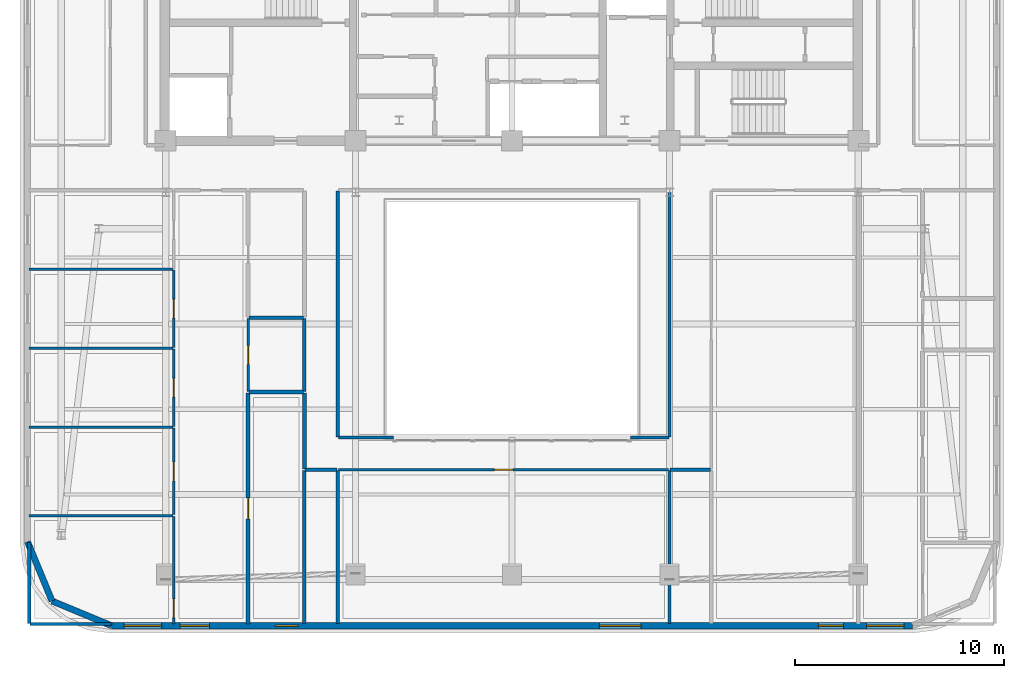
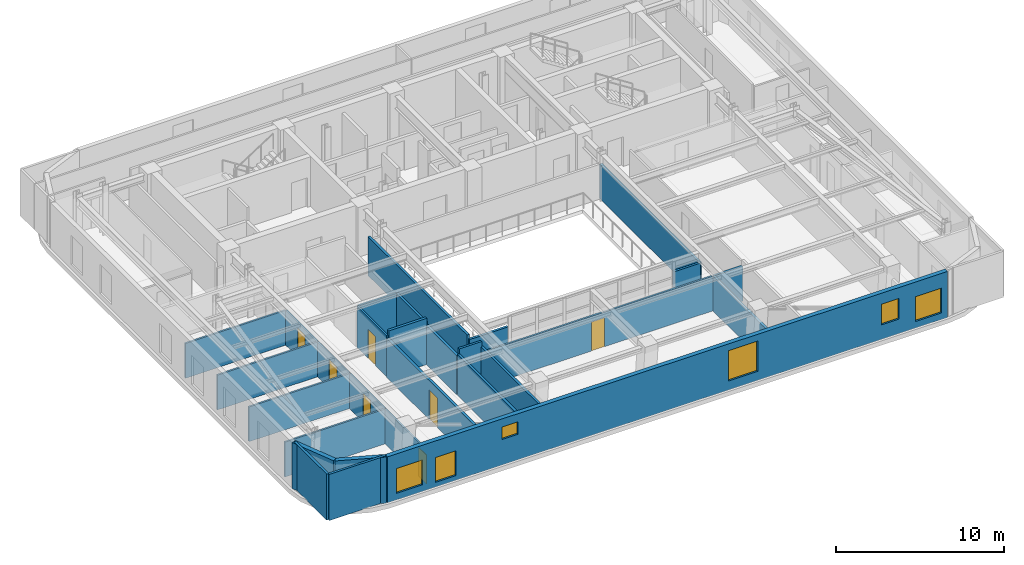
# One storey, part 6 of 14: 29 walls, 7 doors, 6 windows, 13 openings.
"""IFC4 building model written with IfcOpenShell, lengths in metres."""

from ifc_helpers import new_model, si_unit, direction, frame, frame_2d, origin, place, context, subcontext, project, spatial, rectangle, extrude, material, layer, layer_set, type_object, element, fill, save


model = new_model("IFC4")

# Units and contexts
model_context = context("Model", 3, precision=1e-05, world=origin(), true_north=direction((0.0, 1.0)))
body_context = subcontext(model_context, "Body", "Model", "MODEL_VIEW")
ifc_project = project(units=[si_unit("LENGTHUNIT", "METRE"), si_unit("AREAUNIT", "SQUARE_METRE"), si_unit("VOLUMEUNIT", "CUBIC_METRE"), si_unit("PLANEANGLEUNIT", "RADIAN"), si_unit("MASSUNIT", "GRAM", prefix="KILO")], contexts=[model_context])

# Site, building, storey
site_placement = place(None, origin())
site = spatial("IfcSite", under=ifc_project, at=site_placement, CompositionType="ELEMENT")
building_placement = place(site_placement, origin())
building = spatial("IfcBuilding", under=site, at=building_placement, Name="Zarnavel Station Tower", CompositionType="ELEMENT")
storey_placement = place(building_placement, frame((0.0, 0.0, 211.199951171875)))
storey = spatial("IfcBuildingStorey", under=building, at=storey_placement, Name="L57", CompositionType="ELEMENT", Elevation=211.199951171875)

# Walls
ifc_material_1 = material(Name="Precast concrete C45/55 (Dark Basalt Finish)", Category="masonry")
ifc_layer_1 = layer(ifc_material_1, 0.300048828125)
ifc_layer_set_1 = layer_set([ifc_layer_1], Name="EW_BASALT_300")
wall_type_1 = type_object("IfcWallType", Name="EW_BASALT_300", PredefinedType="SOLIDWALL", material=ifc_layer_set_1)
for number, where, z_axis, x_axis, name in (
    (1, (6.75732421875, 5.75732421875, 0.0), (0.0, 0.0, 1.0), (-0.382608747773, 0.923910464346, 0.0), "L57 Exterior Basalt Masonry Frame Wall 10"),
    (2, (9.60009765625, 4.580078125, 0.0), (0.0, 0.0, 1.0), (-0.923910464346, 0.382608747773, 0.0), "L57 Exterior Basalt Masonry Frame Wall 11"),
):
    element("IfcWall", number, at=place(storey_placement, frame(where, z_axis=z_axis, x_axis=x_axis)), inside=storey, type_object=wall_type_1, Name=name, PredefinedType="SOLIDWALL", context=body_context, shape_type="SweptSolid", body=[
        extrude(rectangle(XDim=3.076904296875, YDim=0.300048828125, at=frame_2d((1.53857421875, 0.0))), origin(), (0.0, 0.0, 1.0), 3.340087890625),
    ])

# Wall, openings, windows
wall_1_placement = place(storey_placement, frame((48.0, 4.580078125, 0.0), z_axis=(0.0, 0.0, 1.0), x_axis=(-1.0, 0.0, 0.0)))
wall_1 = element("IfcWall", 3, at=wall_1_placement, inside=storey, type_object=wall_type_1, Name="L57 Exterior Basalt Masonry Frame Wall 12", PredefinedType="SOLIDWALL", context=body_context, shape_type="SweptSolid", body=[
    extrude(rectangle(XDim=38.39990234375, YDim=0.300048828125, at=frame_2d((19.199951171875, 0.0))), origin(), (0.0, 0.0, 1.0), 3.340087890625),
])
opening_1_placement = place(wall_1_placement, frame((33.708984375, 0.0, 0.340087890625)))
opening_1 = element("IfcOpeningElement", 4, at=opening_1_placement, cuts=wall_1, Name="Opening WN01", PredefinedType="OPENING", context=body_context, shape_type="SweptSolid", body=[
    extrude(rectangle(XDim=1.39990234375, YDim=1.800048828125, at=frame_2d((0.699951171875, 0.89990234375))), frame((0.0, 0.159912109375, 0.0), z_axis=(0.0, -1.0, 0.0), x_axis=(1.0, 0.0, 0.0)), (0.0, 0.0, 1.0), 0.320068359375),
])
opening_2_placement = place(wall_1_placement, frame((29.449951171875, 0.0, 1.85009765625)))
opening_2 = element("IfcOpeningElement", 5, at=opening_2_placement, cuts=wall_1, Name="Opening WN10", PredefinedType="OPENING", context=body_context, shape_type="SweptSolid", body=[
    extrude(rectangle(XDim=1.10009765625, YDim=0.89990234375, at=frame_2d((0.550048828125, 0.449951171875))), frame((0.0, 0.159912109375, 0.0), z_axis=(0.0, -1.0, 0.0), x_axis=(1.0, 0.0, 0.0)), (0.0, 0.0, 1.0), 0.320068359375),
])
opening_3_placement = place(wall_1_placement, frame((35.994384765625, 0.0, 0.47998046875)))
opening_3 = element("IfcOpeningElement", 6, at=opening_3_placement, cuts=wall_1, Name="Opening WN02", PredefinedType="OPENING", context=body_context, shape_type="SweptSolid", body=[
    extrude(rectangle(XDim=1.800048828125, YDim=1.800048828125, at=frame_2d((0.89990234375, 0.89990234375))), frame((0.0, 0.159912109375, 0.0), z_axis=(0.0, -1.0, 0.0), x_axis=(1.0, 0.0, 0.0)), (0.0, 0.0, 1.0), 0.320068359375),
])
opening_4_placement = place(wall_1_placement, frame((13.013916015625, 0.0, 0.64990234375)))
opening_4 = element("IfcOpeningElement", 7, at=opening_4_placement, cuts=wall_1, Name="Opening WN07", PredefinedType="OPENING", context=body_context, shape_type="SweptSolid", body=[
    extrude(rectangle(XDim=2.0, YDim=2.199951171875, at=frame_2d((1.0, 1.10009765625))), frame((0.0, 0.159912109375, 0.0), z_axis=(0.0, -1.0, 0.0), x_axis=(1.0, 0.0, 0.0)), (0.0, 0.0, 1.0), 0.320068359375),
])
opening_5_placement = place(wall_1_placement, frame((3.320068359375, 0.0, 1.050048828125)))
opening_5 = element("IfcOpeningElement", 8, at=opening_5_placement, cuts=wall_1, Name="Opening WN08", PredefinedType="OPENING", context=body_context, shape_type="SweptSolid", body=[
    extrude(rectangle(XDim=1.199951171875, YDim=1.5, at=frame_2d((0.60009765625, 0.75))), frame((0.0, 0.159912109375, 0.0), z_axis=(0.0, -1.0, 0.0), x_axis=(1.0, 0.0, 0.0)), (0.0, 0.0, 1.0), 0.320068359375),
])
opening_6_placement = place(wall_1_placement, frame((0.409912109375, 0.0, 0.47998046875)))
opening_6 = element("IfcOpeningElement", 9, at=opening_6_placement, cuts=wall_1, Name="Opening WN02", PredefinedType="OPENING", context=body_context, shape_type="SweptSolid", body=[
    extrude(rectangle(XDim=1.800048828125, YDim=1.800048828125, at=frame_2d((0.89990234375, 0.89990234375))), frame((0.0, 0.159912109375, 0.0), z_axis=(0.0, -1.0, 0.0), x_axis=(1.0, 0.0, 0.0)), (0.0, 0.0, 1.0), 0.320068359375),
])
ifc_material_2 = material(Name="Thermally Broken Black Aluminium and Low-E Dark Glass", Category="aluminium")
window_type_1 = type_object("IfcWindowType", Name="WN_1100x0900", PartitioningType="SINGLE_PANEL", PredefinedType="WINDOW", material=ifc_material_2)
window_1_placement = place(opening_2_placement, origin())
window_1 = element("IfcWindow", 10, at=window_1_placement, inside=storey, type_object=window_type_1, Name="L57 Recessed Facade Window 02", OverallHeight=0.89990234375, OverallWidth=1.10009765625, PartitioningType="SINGLE_PANEL", PredefinedType="WINDOW", context=body_context, shape_type="SweptSolid", body=[
    extrude(rectangle(XDim=1.10009765625, YDim=0.89990234375, at=frame_2d((0.550048828125, 0.449951171875))), frame((0.0, 0.030029296875, 0.0), z_axis=(0.0, -1.0, 0.0), x_axis=(1.0, 0.0, 0.0)), (0.0, 0.0, 1.0), 0.06005859375),
])
fill(opening_2, window_1)
ifc_material_3 = material(Name="Thermally Broken Black Aluminium and Low-E Dark Glass", Category="aluminium")
window_type_2 = type_object("IfcWindowType", Name="WN_1200x1500", PartitioningType="SINGLE_PANEL", PredefinedType="WINDOW", material=ifc_material_3)
window_2_placement = place(opening_5_placement, origin())
window_2 = element("IfcWindow", 11, at=window_2_placement, inside=storey, type_object=window_type_2, Name="L57 Recessed Facade Window 05", OverallHeight=1.5, OverallWidth=1.199951171875, PartitioningType="SINGLE_PANEL", PredefinedType="WINDOW", context=body_context, shape_type="SweptSolid", body=[
    extrude(rectangle(XDim=1.199951171875, YDim=1.5, at=frame_2d((0.60009765625, 0.75))), frame((0.0, 0.030029296875, 0.0), z_axis=(0.0, -1.0, 0.0), x_axis=(1.0, 0.0, 0.0)), (0.0, 0.0, 1.0), 0.06005859375),
])
fill(opening_5, window_2)
ifc_material_4 = material(Name="Thermally Broken Black Aluminium and Low-E Dark Glass", Category="aluminium")
window_type_3 = type_object("IfcWindowType", Name="WN_1400x1800", PartitioningType="DOUBLE_PANEL_VERTICAL", PredefinedType="WINDOW", material=ifc_material_4)
window_3_placement = place(opening_1_placement, origin())
window_3 = element("IfcWindow", 12, at=window_3_placement, inside=storey, type_object=window_type_3, Name="L57 Recessed Facade Window 01", OverallHeight=1.800048828125, OverallWidth=1.39990234375, PartitioningType="SINGLE_PANEL", PredefinedType="WINDOW", context=body_context, shape_type="SweptSolid", body=[
    extrude(rectangle(XDim=1.39990234375, YDim=1.800048828125, at=frame_2d((0.699951171875, 0.89990234375))), frame((0.0, 0.030029296875, 0.0), z_axis=(0.0, -1.0, 0.0), x_axis=(1.0, 0.0, 0.0)), (0.0, 0.0, 1.0), 0.06005859375),
])
fill(opening_1, window_3)
ifc_material_5 = material(Name="Thermally Broken Black Aluminium and Low-E Dark Glass", Category="aluminium")
window_type_4 = type_object("IfcWindowType", Name="WN_1800x1800", PartitioningType="DOUBLE_PANEL_VERTICAL", PredefinedType="WINDOW", material=ifc_material_5)
window_4_placement = place(opening_3_placement, origin())
window_4 = element("IfcWindow", 13, at=window_4_placement, inside=storey, type_object=window_type_4, Name="L57 Recessed Facade Window 03", OverallHeight=1.800048828125, OverallWidth=1.800048828125, PartitioningType="SINGLE_PANEL", PredefinedType="WINDOW", context=body_context, shape_type="SweptSolid", body=[
    extrude(rectangle(XDim=1.800048828125, YDim=1.800048828125, at=frame_2d((0.89990234375, 0.89990234375))), frame((0.0, 0.030029296875, 0.0), z_axis=(0.0, -1.0, 0.0), x_axis=(1.0, 0.0, 0.0)), (0.0, 0.0, 1.0), 0.06005859375),
])
fill(opening_3, window_4)
window_5_placement = place(opening_6_placement, origin())
window_5 = element("IfcWindow", 14, at=window_5_placement, inside=storey, type_object=window_type_4, Name="L57 Recessed Facade Window 06", OverallHeight=1.800048828125, OverallWidth=1.800048828125, PartitioningType="SINGLE_PANEL", PredefinedType="WINDOW", context=body_context, shape_type="SweptSolid", body=[
    extrude(rectangle(XDim=1.800048828125, YDim=1.800048828125, at=frame_2d((0.89990234375, 0.89990234375))), frame((0.0, 0.030029296875, 0.0), z_axis=(0.0, -1.0, 0.0), x_axis=(1.0, 0.0, 0.0)), (0.0, 0.0, 1.0), 0.06005859375),
])
fill(opening_6, window_5)
ifc_material_6 = material(Name="Thermally Broken Black Aluminium and Low-E Dark Glass", Category="aluminium")
window_type_5 = type_object("IfcWindowType", Name="WN_2000x2200", PartitioningType="TRIPLE_PANEL_VERTICAL", PredefinedType="WINDOW", material=ifc_material_6)
window_6_placement = place(opening_4_placement, origin())
window_6 = element("IfcWindow", 15, at=window_6_placement, inside=storey, type_object=window_type_5, Name="L57 Recessed Facade Window 04", OverallHeight=2.199951171875, OverallWidth=2.0, PartitioningType="SINGLE_PANEL", PredefinedType="WINDOW", context=body_context, shape_type="SweptSolid", body=[
    extrude(rectangle(XDim=2.0, YDim=2.199951171875, at=frame_2d((1.0, 1.10009765625))), frame((0.0, 0.030029296875, 0.0), z_axis=(0.0, -1.0, 0.0), x_axis=(1.0, 0.0, 0.0)), (0.0, 0.0, 1.0), 0.06005859375),
])
fill(opening_4, window_6)

# Walls
ifc_material_7 = material(Name="Gypsum Twin-Stud Acoustic Fire Partition", Category="concrete")
ifc_layer_2 = layer(ifc_material_7, 0.159912109375)
ifc_layer_set_2 = layer_set([ifc_layer_2], Name="PT_DEMISE_160")
wall_type_2 = type_object("IfcWallType", Name="PT_DEMISE_160", PredefinedType="PARTITIONING", material=ifc_layer_set_2)
wall_2_placement = place(storey_placement, frame((18.85009765625, 15.81103515625, 0.0), z_axis=(0.0, 0.0, 1.0), x_axis=(0.0, 1.0, 0.0)))
element("IfcWall", 16, at=wall_2_placement, inside=storey, type_object=wall_type_2, Name="L57 Partition COR-AW-UW1UT", PredefinedType="PARTITIONING", context=body_context, shape_type="SweptSolid", body=[
    extrude(rectangle(XDim=3.488037109375, YDim=0.159912109375, at=frame_2d((1.744140625, 0.0))), origin(), (0.0, 0.0, 1.0), 2.969970703125),
])
wall_3_placement = place(storey_placement, frame((18.8798828125, 12.050048828125, 0.0), z_axis=(0.0, 0.0, 1.0), x_axis=(1.0, 0.0, 0.0)))
element("IfcWall", 17, at=wall_3_placement, inside=storey, type_object=wall_type_2, Name="L57 Enclosure Wall COR-AW", PredefinedType="PARTITIONING", context=body_context, shape_type="SweptSolid", body=[
    extrude(rectangle(XDim=1.5400390625, YDim=0.159912109375, at=frame_2d((0.77001953125, 0.0))), origin(), (0.0, 0.0, 1.0), 3.340087890625),
])
wall_4_placement = place(storey_placement, frame((20.449951171875, 13.6298828125, 0.0), z_axis=(0.0, 0.0, 1.0), x_axis=(0.0, 1.0, 0.0)))
element("IfcWall", 18, at=wall_4_placement, inside=storey, type_object=wall_type_2, Name="L57 Enclosure Wall COR-AW", PredefinedType="PARTITIONING", context=body_context, shape_type="SweptSolid", body=[
    extrude(rectangle(XDim=11.7900390625, YDim=0.159912109375, at=frame_2d((5.89501953125, 0.0))), origin(), (0.0, 0.0, 1.0), 2.820068359375),
])
wall_5_placement = place(storey_placement, frame((36.3798828125, 12.050048828125, 0.0), z_axis=(0.0, 0.0, 1.0), x_axis=(1.0, 0.0, 0.0)))
element("IfcWall", 19, at=wall_5_placement, inside=storey, type_object=wall_type_2, Name="L57 Enclosure Wall COR-AE", PredefinedType="PARTITIONING", context=body_context, shape_type="SweptSolid", body=[
    extrude(rectangle(XDim=1.940185546875, YDim=0.159912109375, at=frame_2d((0.97021484375, 0.0))), origin(), (0.0, 0.0, 1.0), 2.52001953125),
])
wall_6_placement = place(storey_placement, frame((36.35009765625, 13.6298828125, 0.0), z_axis=(0.0, 0.0, 1.0), x_axis=(0.0, 1.0, 0.0)))
element("IfcWall", 20, at=wall_6_placement, inside=storey, type_object=wall_type_2, Name="L57 Enclosure Wall COR-AE", PredefinedType="PARTITIONING", context=body_context, shape_type="SweptSolid", body=[
    extrude(rectangle(XDim=11.7900390625, YDim=0.159912109375, at=frame_2d((5.89501953125, 0.0))), origin(), (0.0, 0.0, 1.0), 2.52001953125),
])
wall_7_placement = place(storey_placement, frame((20.47998046875, 13.60009765625, 0.0), z_axis=(0.0, 0.0, 1.0), x_axis=(1.0, 0.0, 0.0)))
element("IfcWall", 21, at=wall_7_placement, inside=storey, type_object=wall_type_2, Name="L57 Enclosure Wall COR-AS", PredefinedType="PARTITIONING", context=body_context, shape_type="SweptSolid", body=[
    extrude(rectangle(XDim=2.64013671875, YDim=0.159912109375, at=frame_2d((1.320068359375, 0.0))), origin(), (0.0, 0.0, 1.0), 2.52001953125),
])
wall_8_placement = place(storey_placement, frame((34.47998046875, 13.60009765625, 0.0), z_axis=(0.0, 0.0, 1.0), x_axis=(1.0, 0.0, 0.0)))
element("IfcWall", 22, at=wall_8_placement, inside=storey, type_object=wall_type_2, Name="L57 Enclosure Wall COR-AS", PredefinedType="PARTITIONING", context=body_context, shape_type="SweptSolid", body=[
    extrude(rectangle(XDim=1.840087890625, YDim=0.159912109375, at=frame_2d((0.919921875, 0.0))), origin(), (0.0, 0.0, 1.0), 2.52001953125),
])
wall_9_placement = place(storey_placement, frame((18.85009765625, 4.68994140625, 0.0), z_axis=(0.0, 0.0, 1.0), x_axis=(0.0, 1.0, 0.0)))
element("IfcWall", 23, at=wall_9_placement, inside=storey, type_object=wall_type_2, Name="L57 Enclosure Wall UW1KT", PredefinedType="PARTITIONING", context=body_context, shape_type="SweptSolid", body=[
    extrude(rectangle(XDim=7.330078125, YDim=0.159912109375, at=frame_2d((3.6650390625, 0.0))), origin(), (0.0, 0.0, 1.0), 2.969970703125),
])
for number, where, z_axis, x_axis, name in (
    (24, (5.68994140625, 4.659912109375, 0.0), (0.0, 0.0, 1.0), (1.0, 0.0, 0.0), "L57 Enclosure Wall UW1B1"),
    (25, (5.659912109375, 4.68994140625, 0.0), (0.0, 0.0, 1.0), (0.0, 1.0, 0.0), "L57 Enclosure Wall UW1B1"),
):
    element("IfcWall", number, at=place(storey_placement, frame(where, z_axis=z_axis, x_axis=x_axis)), inside=storey, type_object=wall_type_2, Name=name, PredefinedType="PARTITIONING", context=body_context, shape_type="SweptSolid", body=[
        extrude(rectangle(XDim=3.880126953125, YDim=0.159912109375, at=frame_2d((1.93994140625, 0.0))), origin(), (0.0, 0.0, 1.0), 3.340087890625),
    ])
wall_10_placement = place(storey_placement, frame((20.449951171875, 4.68994140625, 0.0), z_axis=(0.0, 0.0, 1.0), x_axis=(0.0, 1.0, 0.0)))
element("IfcWall", 26, at=wall_10_placement, inside=storey, type_object=wall_type_2, Name="L57 Enclosure Wall L57WIN", PredefinedType="PARTITIONING", context=body_context, shape_type="SweptSolid", body=[
    extrude(rectangle(XDim=7.330078125, YDim=0.159912109375, at=frame_2d((3.6650390625, 0.0))), origin(), (0.0, 0.0, 1.0), 2.969970703125),
])
wall_11_placement = place(storey_placement, frame((36.35009765625, 4.68994140625, 0.0), z_axis=(0.0, 0.0, 1.0), x_axis=(0.0, 1.0, 0.0)))
element("IfcWall", 27, at=wall_11_placement, inside=storey, type_object=wall_type_2, Name="L57 Enclosure Wall L57WIN", PredefinedType="PARTITIONING", context=body_context, shape_type="SweptSolid", body=[
    extrude(rectangle(XDim=7.330078125, YDim=0.159912109375, at=frame_2d((3.6650390625, 0.0))), origin(), (0.0, 0.0, 1.0), 2.52001953125),
])

# Wall, opening, door
ifc_material_8 = material(Name="Gypsum Metal-Stud Interior Partition", Category="concrete")
ifc_layer_3 = layer(ifc_material_8, 0.1201171875)
ifc_layer_set_3 = layer_set([ifc_layer_3], Name="PT_ROOM_120")
wall_type_3 = type_object("IfcWallType", Name="PT_ROOM_120", PredefinedType="PARTITIONING", material=ifc_layer_set_3)
wall_12_placement = place(storey_placement, frame((20.489990234375, 12.050048828125, 0.0), z_axis=(0.0, 0.0, 1.0), x_axis=(1.0, 0.0, 0.0)))
wall_12 = element("IfcWall", 28, at=wall_12_placement, inside=storey, type_object=wall_type_3, Name="L57 Partition COR-AS-L57WIN", PredefinedType="PARTITIONING", context=body_context, shape_type="SweptSolid", body=[
    extrude(rectangle(XDim=15.820068359375, YDim=0.1201171875, at=frame_2d((7.91015625, 0.0))), origin(), (0.0, 0.0, 1.0), 2.52001953125),
])
opening_7_placement = place(wall_12_placement, frame((7.4599609375, 0.0, 0.0)))
opening_7 = element("IfcOpeningElement", 29, at=opening_7_placement, cuts=wall_12, Name="Opening ID01", PredefinedType="OPENING", context=body_context, shape_type="SweptSolid", body=[
    extrude(rectangle(XDim=0.89990234375, YDim=2.10009765625, at=frame_2d((0.449951171875, 1.050048828125))), frame((0.0, 0.070068359375, 0.0), z_axis=(0.0, -1.0, 0.0), x_axis=(1.0, 0.0, 0.0)), (0.0, 0.0, 1.0), 0.14013671875),
])
ifc_material_9 = material(Name="Painted Galvanised Steel and Hardwood Leaf", Category="steel")
door_type_1 = type_object("IfcDoorType", Name="ID_ROOM_900", OperationType="NOTDEFINED", PredefinedType="DOOR", material=ifc_material_9)
door_1_placement = place(opening_7_placement, origin())
door_1 = element("IfcDoor", 30, at=door_1_placement, inside=storey, type_object=door_type_1, Name="L57 Door COR-AS-L57WIN", OperationType="SINGLE_SWING_LEFT", OverallHeight=2.10009765625, OverallWidth=0.89990234375, PredefinedType="DOOR", context=body_context, shape_type="SweptSolid", body=[
    extrude(rectangle(XDim=0.89990234375, YDim=2.10009765625, at=frame_2d((0.449951171875, 1.050048828125))), frame((0.0, 0.02490234375, 0.0), z_axis=(0.0, -1.0, 0.0), x_axis=(1.0, 0.0, 0.0)), (0.0, 0.0, 1.0), 0.050048828125),
])
fill(opening_7, door_1)

wall_13_placement = place(storey_placement, frame((16.14990234375, 15.81103515625, 0.0), z_axis=(0.0, 0.0, 1.0), x_axis=(0.0, 1.0, 0.0)))
wall_13 = element("IfcWall", 31, at=wall_13_placement, inside=storey, type_object=wall_type_3, Name="L57 Partition UW1LV-UW1UT", PredefinedType="PARTITIONING", context=body_context, shape_type="SweptSolid", body=[
    extrude(rectangle(XDim=3.488037109375, YDim=0.1201171875, at=frame_2d((1.744140625, 0.0))), origin(), (0.0, 0.0, 1.0), 2.969970703125),
])
opening_8_placement = place(wall_13_placement, frame((1.2939453125, 0.0, 0.0)))
opening_8 = element("IfcOpeningElement", 32, at=opening_8_placement, cuts=wall_13, Name="Opening ID01", PredefinedType="OPENING", context=body_context, shape_type="SweptSolid", body=[
    extrude(rectangle(XDim=0.89990234375, YDim=2.10009765625, at=frame_2d((0.449951171875, 1.050048828125))), frame((0.0, 0.070068359375, 0.0), z_axis=(0.0, -1.0, 0.0), x_axis=(1.0, 0.0, 0.0)), (0.0, 0.0, 1.0), 0.14013671875),
])
door_2_placement = place(opening_8_placement, origin())
door_2 = element("IfcDoor", 33, at=door_2_placement, inside=storey, type_object=door_type_1, Name="L57 Door UW1LV-UW1UT", OperationType="SINGLE_SWING_LEFT", OverallHeight=2.10009765625, OverallWidth=0.89990234375, PredefinedType="DOOR", context=body_context, shape_type="SweptSolid", body=[
    extrude(rectangle(XDim=0.89990234375, YDim=2.10009765625, at=frame_2d((0.449951171875, 1.050048828125))), frame((0.0, 0.02490234375, 0.0), z_axis=(0.0, -1.0, 0.0), x_axis=(1.0, 0.0, 0.0)), (0.0, 0.0, 1.0), 0.050048828125),
])
fill(opening_8, door_2)

wall_14_placement = place(storey_placement, frame((12.591064453125, 4.659912109375, 0.0), z_axis=(0.0, 0.0, 1.0), x_axis=(0.0, 1.0, 0.0)))
wall_14 = element("IfcWall", 34, at=wall_14_placement, inside=storey, type_object=wall_type_3, Name="L57 Partition UW1LV-UW1B1", PredefinedType="PARTITIONING", context=body_context, shape_type="SweptSolid", body=[
    extrude(rectangle(XDim=5.156982421875, YDim=0.1201171875, at=frame_2d((2.57861328125, 0.0))), origin(), (0.0, 0.0, 1.0), 2.52001953125),
])
opening_9_placement = place(wall_14_placement, frame((0.3056640625, 0.0, 0.0)))
opening_9 = element("IfcOpeningElement", 35, at=opening_9_placement, cuts=wall_14, Name="Opening ID01", PredefinedType="OPENING", context=body_context, shape_type="SweptSolid", body=[
    extrude(rectangle(XDim=0.89990234375, YDim=2.10009765625, at=frame_2d((0.449951171875, 1.050048828125))), frame((0.0, 0.070068359375, 0.0), z_axis=(0.0, -1.0, 0.0), x_axis=(1.0, 0.0, 0.0)), (0.0, 0.0, 1.0), 0.14013671875),
])
door_3_placement = place(opening_9_placement, origin())
door_3 = element("IfcDoor", 36, at=door_3_placement, inside=storey, type_object=door_type_1, Name="L57 Door UW1LV-UW1B1", OperationType="SINGLE_SWING_LEFT", OverallHeight=2.10009765625, OverallWidth=0.89990234375, PredefinedType="DOOR", context=body_context, shape_type="SweptSolid", body=[
    extrude(rectangle(XDim=0.89990234375, YDim=2.10009765625, at=frame_2d((0.449951171875, 1.050048828125))), frame((0.0, 0.02490234375, 0.0), z_axis=(0.0, -1.0, 0.0), x_axis=(1.0, 0.0, 0.0)), (0.0, 0.0, 1.0), 0.050048828125),
])
fill(opening_9, door_3)

wall_15_placement = place(storey_placement, frame((12.591064453125, 9.89697265625, 0.0), z_axis=(0.0, 0.0, 1.0), x_axis=(0.0, 1.0, 0.0)))
wall_15 = element("IfcWall", 37, at=wall_15_placement, inside=storey, type_object=wall_type_3, Name="L57 Partition UW1LV-UW1B2", PredefinedType="PARTITIONING", context=body_context, shape_type="SweptSolid", body=[
    extrude(rectangle(XDim=4.14794921875, YDim=0.1201171875, at=frame_2d((2.073974609375, 0.0))), origin(), (0.0, 0.0, 1.0), 2.52001953125),
])
opening_10_placement = place(wall_15_placement, frame((1.6240234375, 0.0, 0.0)))
opening_10 = element("IfcOpeningElement", 38, at=opening_10_placement, cuts=wall_15, Name="Opening ID01", PredefinedType="OPENING", context=body_context, shape_type="SweptSolid", body=[
    extrude(rectangle(XDim=0.89990234375, YDim=2.10009765625, at=frame_2d((0.449951171875, 1.050048828125))), frame((0.0, 0.070068359375, 0.0), z_axis=(0.0, -1.0, 0.0), x_axis=(1.0, 0.0, 0.0)), (0.0, 0.0, 1.0), 0.14013671875),
])
door_4_placement = place(opening_10_placement, origin())
door_4 = element("IfcDoor", 39, at=door_4_placement, inside=storey, type_object=door_type_1, Name="L57 Door UW1LV-UW1B2", OperationType="SINGLE_SWING_RIGHT", OverallHeight=2.10009765625, OverallWidth=0.89990234375, PredefinedType="DOOR", context=body_context, shape_type="SweptSolid", body=[
    extrude(rectangle(XDim=0.89990234375, YDim=2.10009765625, at=frame_2d((0.449951171875, 1.050048828125))), frame((0.0, 0.02490234375, 0.0), z_axis=(0.0, -1.0, 0.0), x_axis=(1.0, 0.0, 0.0)), (0.0, 0.0, 1.0), 0.050048828125),
])
fill(opening_10, door_4)

wall_16_placement = place(storey_placement, frame((12.591064453125, 14.125, 0.0), z_axis=(0.0, 0.0, 1.0), x_axis=(0.0, 1.0, 0.0)))
wall_16 = element("IfcWall", 40, at=wall_16_placement, inside=storey, type_object=wall_type_3, Name="L57 Partition UW1LV-UW1B3", PredefinedType="PARTITIONING", context=body_context, shape_type="SweptSolid", body=[
    extrude(rectangle(XDim=3.7080078125, YDim=0.1201171875, at=frame_2d((1.85400390625, 0.0))), origin(), (0.0, 0.0, 1.0), 2.52001953125),
])
opening_11_placement = place(wall_16_placement, frame((1.404052734375, 0.0, 0.0)))
opening_11 = element("IfcOpeningElement", 41, at=opening_11_placement, cuts=wall_16, Name="Opening ID01", PredefinedType="OPENING", context=body_context, shape_type="SweptSolid", body=[
    extrude(rectangle(XDim=0.89990234375, YDim=2.10009765625, at=frame_2d((0.449951171875, 1.050048828125))), frame((0.0, 0.070068359375, 0.0), z_axis=(0.0, -1.0, 0.0), x_axis=(1.0, 0.0, 0.0)), (0.0, 0.0, 1.0), 0.14013671875),
])
door_5_placement = place(opening_11_placement, origin())
door_5 = element("IfcDoor", 42, at=door_5_placement, inside=storey, type_object=door_type_1, Name="L57 Door UW1LV-UW1B3", OperationType="SINGLE_SWING_LEFT", OverallHeight=2.10009765625, OverallWidth=0.89990234375, PredefinedType="DOOR", context=body_context, shape_type="SweptSolid", body=[
    extrude(rectangle(XDim=0.89990234375, YDim=2.10009765625, at=frame_2d((0.449951171875, 1.050048828125))), frame((0.0, 0.02490234375, 0.0), z_axis=(0.0, -1.0, 0.0), x_axis=(1.0, 0.0, 0.0)), (0.0, 0.0, 1.0), 0.050048828125),
])
fill(opening_11, door_5)

wall_17_placement = place(storey_placement, frame((12.591064453125, 17.9130859375, 0.0), z_axis=(0.0, 0.0, 1.0), x_axis=(0.0, 1.0, 0.0)))
wall_17 = element("IfcWall", 43, at=wall_17_placement, inside=storey, type_object=wall_type_3, Name="L57 Partition UW1LV-UW1B4", PredefinedType="PARTITIONING", context=body_context, shape_type="SweptSolid", body=[
    extrude(rectangle(XDim=3.7080078125, YDim=0.1201171875, at=frame_2d((1.85400390625, 0.0))), origin(), (0.0, 0.0, 1.0), 2.52001953125),
])
opening_12_placement = place(wall_17_placement, frame((1.404052734375, 0.0, 0.0)))
opening_12 = element("IfcOpeningElement", 44, at=opening_12_placement, cuts=wall_17, Name="Opening ID01", PredefinedType="OPENING", context=body_context, shape_type="SweptSolid", body=[
    extrude(rectangle(XDim=0.89990234375, YDim=2.10009765625, at=frame_2d((0.449951171875, 1.050048828125))), frame((0.0, 0.070068359375, 0.0), z_axis=(0.0, -1.0, 0.0), x_axis=(1.0, 0.0, 0.0)), (0.0, 0.0, 1.0), 0.14013671875),
])
door_6_placement = place(opening_12_placement, origin())
door_6 = element("IfcDoor", 45, at=door_6_placement, inside=storey, type_object=door_type_1, Name="L57 Door UW1LV-UW1B4", OperationType="SINGLE_SWING_RIGHT", OverallHeight=2.10009765625, OverallWidth=0.89990234375, PredefinedType="DOOR", context=body_context, shape_type="SweptSolid", body=[
    extrude(rectangle(XDim=0.89990234375, YDim=2.10009765625, at=frame_2d((0.449951171875, 1.050048828125))), frame((0.0, 0.02490234375, 0.0), z_axis=(0.0, -1.0, 0.0), x_axis=(1.0, 0.0, 0.0)), (0.0, 0.0, 1.0), 0.050048828125),
])
fill(opening_12, door_6)

# Walls
for number, where, z_axis, x_axis, name in (
    (46, (5.659912109375, 9.85693359375, 0.0), (0.0, 0.0, 1.0), (1.0, 0.0, 0.0), "L57 Partition UW1B1-UW1B2"),
    (47, (5.659912109375, 14.0849609375, 0.0), (0.0, 0.0, 1.0), (1.0, 0.0, 0.0), "L57 Partition UW1B2-UW1B3"),
    (48, (5.659912109375, 17.873046875, 0.0), (0.0, 0.0, 1.0), (1.0, 0.0, 0.0), "L57 Partition UW1B3-UW1B4"),
    (49, (5.659912109375, 21.660888671875, 0.0), (0.0, 0.0, 1.0), (1.0, 0.0, 0.0), "L57 Partition UW1B4-UW1B5"),
):
    element("IfcWall", number, at=place(storey_placement, frame(where, z_axis=z_axis, x_axis=x_axis)), inside=storey, type_object=wall_type_3, Name=name, PredefinedType="PARTITIONING", context=body_context, shape_type="SweptSolid", body=[
        extrude(rectangle(XDim=6.89111328125, YDim=0.1201171875, at=frame_2d((3.445556640625, 0.0))), origin(), (0.0, 0.0, 1.0), 2.52001953125),
    ])
ifc_material_10 = material(Name="Moisture-Resistant Plumbing Chase Wall", Category="concrete")
ifc_layer_4 = layer(ifc_material_10, 0.179931640625)
ifc_layer_set_4 = layer_set([ifc_layer_4], Name="PW_PLUMB_180")
wall_type_4 = type_object("IfcWallType", Name="PW_PLUMB_180", PredefinedType="PLUMBINGWALL", material=ifc_layer_set_4)
wall_18_placement = place(storey_placement, frame((18.85009765625, 12.090087890625, 0.0), z_axis=(0.0, 0.0, 1.0), x_axis=(0.0, 1.0, 0.0)))
element("IfcWall", 50, at=wall_18_placement, inside=storey, type_object=wall_type_4, Name="L57 Partition COR-AW-UW1KT", PredefinedType="PLUMBINGWALL", context=body_context, shape_type="SweptSolid", body=[
    extrude(rectangle(XDim=3.640869140625, YDim=0.179931640625, at=frame_2d((1.8203125, 0.0))), origin(), (0.0, 0.0, 1.0), 2.820068359375),
])

# Wall, opening, door
wall_19_placement = place(storey_placement, frame((16.14990234375, 4.659912109375, 0.0), z_axis=(0.0, 0.0, 1.0), x_axis=(0.0, 1.0, 0.0)))
wall_19 = element("IfcWall", 51, at=wall_19_placement, inside=storey, type_object=wall_type_4, Name="L57 Partition UW1LV-UW1KT", PredefinedType="PLUMBINGWALL", context=body_context, shape_type="SweptSolid", body=[
    extrude(rectangle(XDim=11.071044921875, YDim=0.179931640625, at=frame_2d((5.53564453125, 0.0))), origin(), (0.0, 0.0, 1.0), 2.820068359375),
])
opening_13_placement = place(wall_19_placement, frame((5.035400390625, 0.0, 0.0)))
opening_13 = element("IfcOpeningElement", 52, at=opening_13_placement, cuts=wall_19, Name="Opening FD02", PredefinedType="OPENING", context=body_context, shape_type="SweptSolid", body=[
    extrude(rectangle(XDim=1.0, YDim=2.14990234375, at=frame_2d((0.5, 1.074951171875))), frame((0.0, 0.099853515625, 0.0), z_axis=(0.0, -1.0, 0.0), x_axis=(1.0, 0.0, 0.0)), (0.0, 0.0, 1.0), 0.199951171875),
])
ifc_material_11 = material(Name="Painted Galvanised Steel and Hardwood Leaf", Category="steel")
door_type_2 = type_object("IfcDoorType", Name="ID_ENTRY_1000", OperationType="NOTDEFINED", PredefinedType="DOOR", material=ifc_material_11)
door_7_placement = place(opening_13_placement, origin())
door_7 = element("IfcDoor", 53, at=door_7_placement, inside=storey, type_object=door_type_2, Name="L57 Door UW1LV-UW1KT", OperationType="SINGLE_SWING_RIGHT", OverallHeight=2.14990234375, OverallWidth=1.0, PredefinedType="DOOR", context=body_context, shape_type="SweptSolid", body=[
    extrude(rectangle(XDim=1.0, YDim=2.14990234375, at=frame_2d((0.5, 1.074951171875))), frame((0.0, 0.02490234375, 0.0), z_axis=(0.0, -1.0, 0.0), x_axis=(1.0, 0.0, 0.0)), (0.0, 0.0, 1.0), 0.050048828125),
])
fill(opening_13, door_7)

# Walls
wall_20_placement = place(storey_placement, frame((16.18994140625, 15.77099609375, 0.0), z_axis=(0.0, 0.0, 1.0), x_axis=(1.0, 0.0, 0.0)))
element("IfcWall", 54, at=wall_20_placement, inside=storey, type_object=wall_type_4, Name="L57 Partition UW1KT-UW1UT", PredefinedType="PLUMBINGWALL", context=body_context, shape_type="SweptSolid", body=[
    extrude(rectangle(XDim=2.6201171875, YDim=0.179931640625, at=frame_2d((1.31005859375, 0.0))), origin(), (0.0, 0.0, 1.0), 3.340087890625),
])
wall_21_placement = place(storey_placement, frame((16.18994140625, 19.339111328125, 0.0), z_axis=(0.0, 0.0, 1.0), x_axis=(1.0, 0.0, 0.0)))
element("IfcWall", 55, at=wall_21_placement, inside=storey, type_object=wall_type_4, Name="L57 Partition UW1UT-UW1BA", PredefinedType="PLUMBINGWALL", context=body_context, shape_type="SweptSolid", body=[
    extrude(rectangle(XDim=2.6201171875, YDim=0.179931640625, at=frame_2d((1.31005859375, 0.0))), origin(), (0.0, 0.0, 1.0), 2.969970703125),
])

save(model, "model.ifc")
